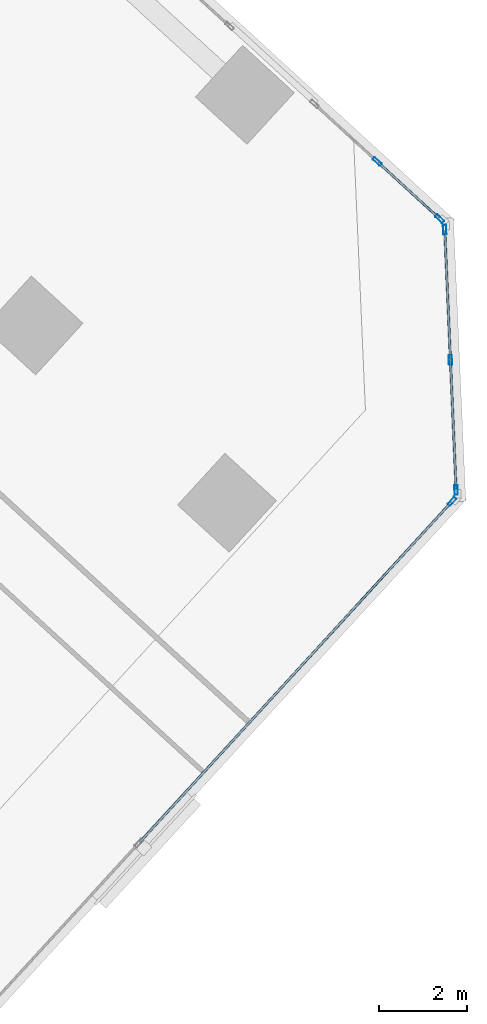
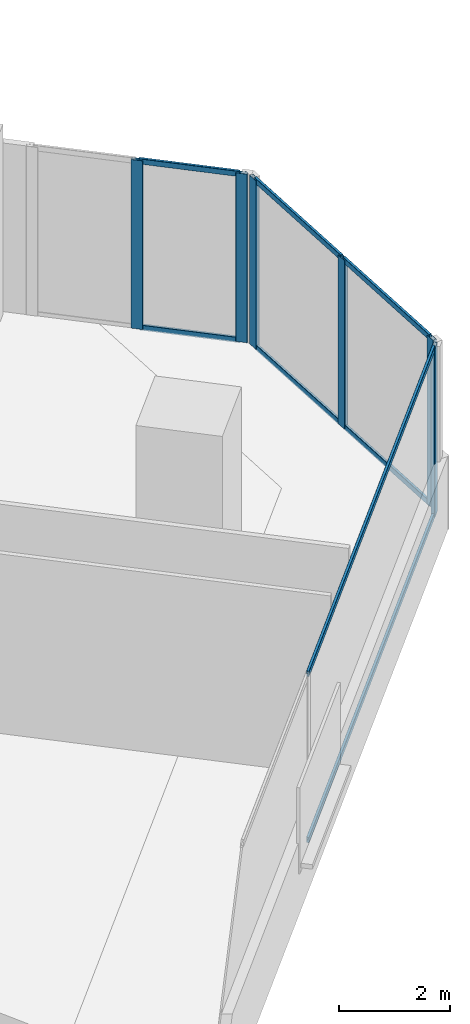
# One storey, part 7 of 18: 14 members, 3 elements without a shape of their own.
"""IFC4 building model written with IfcOpenShell, lengths in metres."""

from ifc_helpers import new_model, si_unit, direction, frame, origin, origin_2d, place, context, subcontext, project, spatial, hollow_rectangle, extrude, source, transform, mapped, material, material_profile, profile_set, type_object, element, aggregate, save


model = new_model("IFC4")

# Units and contexts
model_context = context("Model", 3, precision=1e-05, world=origin(), true_north=direction((0.0, 1.0)))
body_context = subcontext(model_context, "Body", "Model", "MODEL_VIEW")
ifc_project = project(units=[si_unit("LENGTHUNIT", "METRE"), si_unit("AREAUNIT", "SQUARE_METRE"), si_unit("VOLUMEUNIT", "CUBIC_METRE"), si_unit("PLANEANGLEUNIT", "RADIAN"), si_unit("MASSUNIT", "GRAM", prefix="KILO")], contexts=[model_context])

# Site, building, storey
site_placement = place(None, origin())
site = spatial("IfcSite", under=ifc_project, at=site_placement, CompositionType="ELEMENT")
building_placement = place(site_placement, origin())
building = spatial("IfcBuilding", under=site, at=building_placement, Name="Torre Montelarca", CompositionType="ELEMENT")
storey_placement = place(building_placement, frame((0.0, 0.0, 237.39990234375)))
storey = spatial("IfcBuildingStorey", under=building, at=storey_placement, Name="L53", CompositionType="ELEMENT", Elevation=237.39990234375)

# Curtain wall, members
ifc_material_1 = material(Name="Insulated low-E laminated glass", Category="glass")
curtain_wall_type = type_object("IfcCurtainWallType", Name="CW-SYS-Z3", PredefinedType="USERDEFINED", material=ifc_material_1)
curtain_wall_1_placement = place(storey_placement, origin())
curtain_wall_1 = element("IfcCurtainWall", 1, at=curtain_wall_1_placement, inside=storey, type_object=curtain_wall_type, Name="L53 Curtain Wall Run CW-T3-L53-E07-B1", ObjectType="UNITISED GLAZING", PredefinedType="USERDEFINED")
ifc_material_2 = material(Name="Anodised aluminium AA 6063-T6", Category="aluminium")
ifc_material_profile_1 = material_profile(ifc_material_2, hollow_rectangle(XDim=0.054931640625, YDim=0.1201171875, WallThickness=0.00341796875, InnerFilletRadius=0.00341796875, OuterFilletRadius=0.007080078125, at=origin_2d()), Name="ALU55X120X3.5", Category="aluminium")
ifc_profile_set_1 = profile_set([ifc_material_profile_1], Name="Anodised aluminium AA 6063-T6")
member_type_1 = type_object("IfcMemberType", Name="CWT-ALU120", PredefinedType="USERDEFINED", material=ifc_profile_set_1)
shared_shape_1 = source(origin(), body_context, "Body", "SweptSolid", [
    extrude(hollow_rectangle(XDim=0.054931640625, YDim=0.1201171875, WallThickness=0.00341796875, InnerFilletRadius=0.00341796875, OuterFilletRadius=0.007080078125, at=origin_2d()), origin(), (0.0, 0.0, 1.0), 2.903564453125),
])
member_1_placement = place(storey_placement, frame((47.253662109375, 24.376708984375, 0.027587890625), z_axis=(-0.043637906688, 0.999047412839, 0.0), x_axis=(-0.999047412839, -0.043637906688, 0.0)))
member_1 = element("IfcMember", 2, at=member_1_placement, type_object=member_type_1, Name="CW transom 1.1", ObjectType="TRANSOM", PredefinedType="USERDEFINED", context=body_context, shape_type="MappedRepresentation", body=[
    mapped(shared_shape_1, transform((0.0, 0.0, 0.0), scale=1.0)),
])
member_2_placement = place(storey_placement, frame((47.253662109375, 24.376708984375, 3.692626953125), z_axis=(-0.043637906688, 0.999047412839, 0.0), x_axis=(-0.999047412839, -0.043637906688, 0.0)))
member_2 = element("IfcMember", 3, at=member_2_placement, type_object=member_type_1, Name="CW transom 1.2", ObjectType="TRANSOM", PredefinedType="USERDEFINED", context=body_context, shape_type="MappedRepresentation", body=[
    mapped(shared_shape_1, transform((0.0, 0.0, 0.0), scale=1.0)),
])
member_3_placement = place(storey_placement, frame((47.123779296875, 27.352294921875, 0.027587890625), z_axis=(-0.043637906688, 0.999047412839, 0.0), x_axis=(-0.999047412839, -0.043637906688, 0.0)))
member_3 = element("IfcMember", 4, at=member_3_placement, type_object=member_type_1, Name="CW transom 2.1", ObjectType="TRANSOM", PredefinedType="USERDEFINED", context=body_context, shape_type="MappedRepresentation", body=[
    mapped(shared_shape_1, transform((0.0, 0.0, 0.0), scale=1.0)),
])
member_4_placement = place(storey_placement, frame((47.123779296875, 27.352294921875, 3.692626953125), z_axis=(-0.043637906688, 0.999047412839, 0.0), x_axis=(-0.999047412839, -0.043637906688, 0.0)))
member_4 = element("IfcMember", 5, at=member_4_placement, type_object=member_type_1, Name="CW transom 2.2", ObjectType="TRANSOM", PredefinedType="USERDEFINED", context=body_context, shape_type="MappedRepresentation", body=[
    mapped(shared_shape_1, transform((0.0, 0.0, 0.0), scale=1.0)),
])

curtain_wall_2_placement = place(storey_placement, origin())
curtain_wall_2 = element("IfcCurtainWall", 6, at=curtain_wall_2_placement, inside=storey, type_object=curtain_wall_type, Name="L53 Curtain Wall Run CW-T3-L53-E06-B1", ObjectType="UNITISED GLAZING", PredefinedType="USERDEFINED")
shared_shape_2 = source(origin(), body_context, "Body", "SweptSolid", [
    extrude(hollow_rectangle(XDim=0.054931640625, YDim=0.1201171875, WallThickness=0.00341796875, InnerFilletRadius=0.00341796875, OuterFilletRadius=0.007080078125, at=origin_2d()), origin(), (0.0, 0.0, 1.0), 10.521728515625),
])
member_5_placement = place(storey_placement, frame((40.027099609375, 16.294677734375, 0.027587890625), z_axis=(0.675596429277, 0.737271635659, 0.0), x_axis=(-0.737271635659, 0.675596429277, 0.0)))
member_5 = element("IfcMember", 7, at=member_5_placement, type_object=member_type_1, Name="CW transom 2.1", ObjectType="TRANSOM", PredefinedType="USERDEFINED", context=body_context, shape_type="MappedRepresentation", body=[
    mapped(shared_shape_2, transform((0.0, 0.0, 0.0), scale=1.0)),
])
member_6_placement = place(storey_placement, frame((40.027099609375, 16.294677734375, 3.692626953125), z_axis=(0.675596429277, 0.737271635659, 0.0), x_axis=(-0.737271635659, 0.675596429277, 0.0)))
member_6 = element("IfcMember", 8, at=member_6_placement, type_object=member_type_1, Name="CW transom 2.2", ObjectType="TRANSOM", PredefinedType="USERDEFINED", context=body_context, shape_type="MappedRepresentation", body=[
    mapped(shared_shape_2, transform((0.0, 0.0, 0.0), scale=1.0)),
])

curtain_wall_3_placement = place(storey_placement, origin())
curtain_wall_3 = element("IfcCurtainWall", 9, at=curtain_wall_3_placement, inside=storey, type_object=curtain_wall_type, Name="L53 Curtain Wall Run CW-T3-L53-E08-B1", ObjectType="UNITISED GLAZING", PredefinedType="USERDEFINED")
shared_shape_3 = source(origin(), body_context, "Body", "SweptSolid", [
    extrude(hollow_rectangle(XDim=0.054931640625, YDim=0.1201171875, WallThickness=0.00341796875, InnerFilletRadius=0.00341796875, OuterFilletRadius=0.007080078125, at=origin_2d()), origin(), (0.0, 0.0, 1.0), 1.86474609375),
])
member_7_placement = place(storey_placement, frame((46.85107421875, 30.56640625, 0.027587890625), z_axis=(-0.737268261341, 0.675600111618, 0.0), x_axis=(-0.675600111618, -0.737268261341, 0.0)))
member_7 = element("IfcMember", 10, at=member_7_placement, type_object=member_type_1, Name="CW transom 1.1", ObjectType="TRANSOM", PredefinedType="USERDEFINED", context=body_context, shape_type="MappedRepresentation", body=[
    mapped(shared_shape_3, transform((0.0, 0.0, 0.0), scale=1.0)),
])
member_8_placement = place(storey_placement, frame((46.85107421875, 30.56640625, 3.692626953125), z_axis=(-0.737268261341, 0.675600111618, 0.0), x_axis=(-0.675600111618, -0.737268261341, 0.0)))
member_8 = element("IfcMember", 11, at=member_8_placement, type_object=member_type_1, Name="CW transom 1.2", ObjectType="TRANSOM", PredefinedType="USERDEFINED", context=body_context, shape_type="MappedRepresentation", body=[
    mapped(shared_shape_3, transform((0.0, 0.0, 0.0), scale=1.0)),
])

# Member
ifc_material_profile_2 = material_profile(ifc_material_2, hollow_rectangle(XDim=0.074951171875, YDim=0.219970703125, WallThickness=0.0048828125, InnerFilletRadius=0.0048828125, OuterFilletRadius=0.010009765625, at=origin_2d()), Name="ALU75X220X5", Category="aluminium")
ifc_profile_set_2 = profile_set([ifc_material_profile_2], Name="Anodised aluminium AA 6063-T6")
member_type_2 = type_object("IfcMemberType", Name="CWM-ALU220", PredefinedType="MULLION", material=ifc_profile_set_2)
shared_shape_4 = source(origin(), body_context, "Body", "SweptSolid", [
    extrude(hollow_rectangle(XDim=0.074951171875, YDim=0.219970703125, WallThickness=0.0048828125, InnerFilletRadius=0.0048828125, OuterFilletRadius=0.010009765625, at=origin_2d()), origin(), (0.0, 0.0, 1.0), 3.72021484375),
])
member_9_placement = place(storey_placement, frame((47.16064453125, 24.07958984375, 0.0), z_axis=(0.0, 0.0, 1.0), x_axis=(-0.737277670314, 0.675589843659, 0.0)))
member_9 = element("IfcMember", 12, at=member_9_placement, type_object=member_type_2, Name="CW mullion 3", PredefinedType="MULLION", context=body_context, shape_type="MappedRepresentation", body=[
    mapped(shared_shape_4, transform((0.0, 0.0, 0.0), scale=1.0)),
])

aggregate(curtain_wall_2, [member_9, member_5, member_6])

member_10_placement = place(storey_placement, frame((47.25537109375, 24.339111328125, 0.0), z_axis=(0.0, 0.0, 1.0), x_axis=(-0.999048385364, -0.043615635968, 0.0)))
member_10 = element("IfcMember", 13, at=member_10_placement, type_object=member_type_2, Name="CW mullion 1", PredefinedType="MULLION", context=body_context, shape_type="MappedRepresentation", body=[
    mapped(shared_shape_4, transform((0.0, 0.0, 0.0), scale=1.0)),
])

member_11_placement = place(storey_placement, frame((47.125244140625, 27.31494140625, 0.0), z_axis=(0.0, 0.0, 1.0), x_axis=(-0.999048385364, -0.043615635968, 0.0)))
member_11 = element("IfcMember", 14, at=member_11_placement, type_object=member_type_2, Name="CW mullion 2", PredefinedType="MULLION", context=body_context, shape_type="MappedRepresentation", body=[
    mapped(shared_shape_4, transform((0.0, 0.0, 0.0), scale=1.0)),
])

member_12_placement = place(storey_placement, frame((46.995361328125, 30.290771484375, 0.0), z_axis=(0.0, 0.0, 1.0), x_axis=(-0.999048385364, -0.043615635968, 0.0)))
member_12 = element("IfcMember", 15, at=member_12_placement, type_object=member_type_2, Name="CW mullion 3", PredefinedType="MULLION", context=body_context, shape_type="MappedRepresentation", body=[
    mapped(shared_shape_4, transform((0.0, 0.0, 0.0), scale=1.0)),
])

aggregate(curtain_wall_1, [member_10, member_11, member_12, member_1, member_2, member_3, member_4])

member_13_placement = place(storey_placement, frame((46.878662109375, 30.541015625, 0.0), z_axis=(0.0, 0.0, 1.0), x_axis=(-0.675580323, -0.73728639427, 0.0)))
member_13 = element("IfcMember", 16, at=member_13_placement, type_object=member_type_2, Name="CW mullion 1", PredefinedType="MULLION", context=body_context, shape_type="MappedRepresentation", body=[
    mapped(shared_shape_4, transform((0.0, 0.0, 0.0), scale=1.0)),
])

member_14_placement = place(storey_placement, frame((45.44873046875, 31.8515625, 0.0), z_axis=(0.0, 0.0, 1.0), x_axis=(-0.675580323, -0.73728639427, 0.0)))
member_14 = element("IfcMember", 17, at=member_14_placement, type_object=member_type_2, Name="CW mullion 2", PredefinedType="MULLION", context=body_context, shape_type="MappedRepresentation", body=[
    mapped(shared_shape_4, transform((0.0, 0.0, 0.0), scale=1.0)),
])

aggregate(curtain_wall_3, [member_13, member_14, member_7, member_8])

save(model, "model.ifc")
